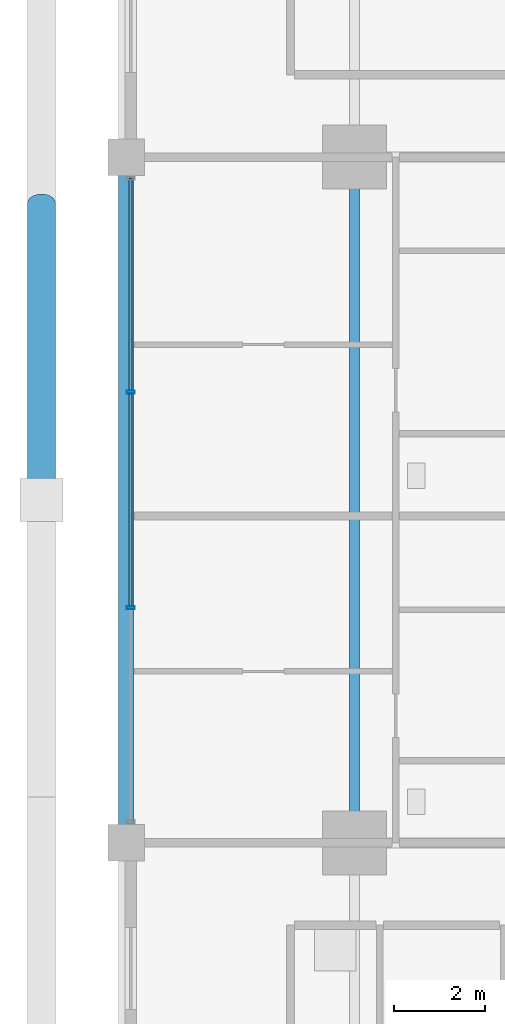
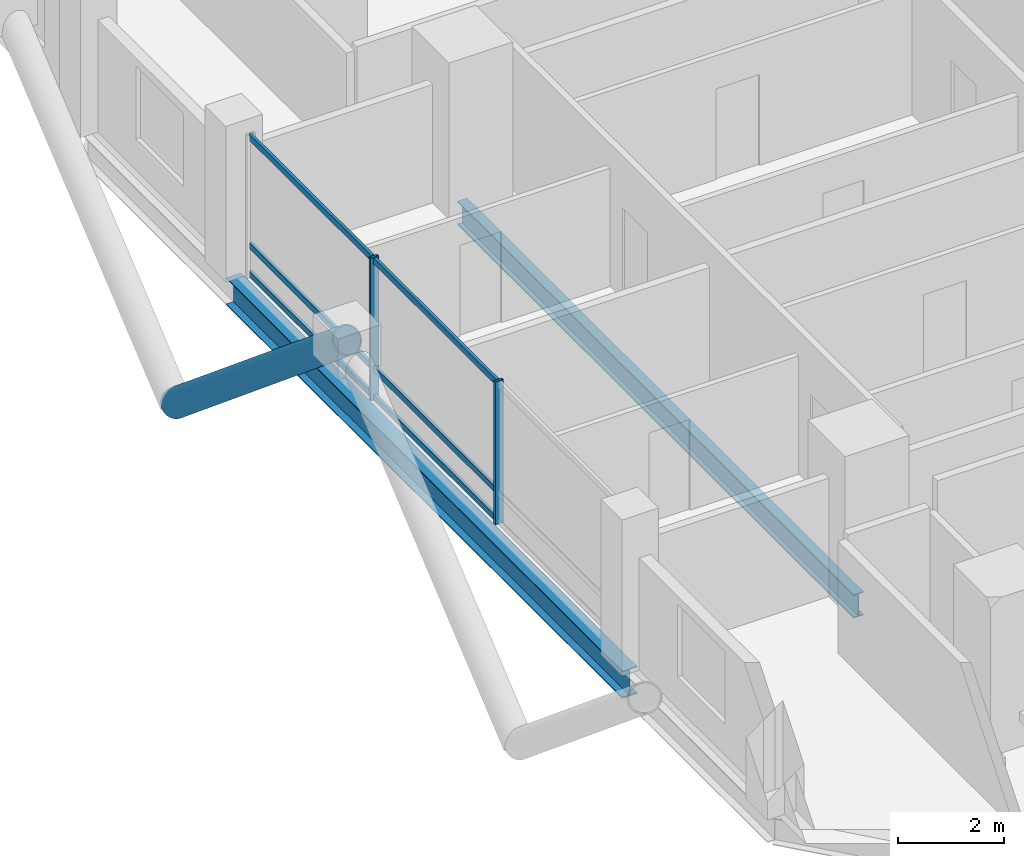
# One storey, part 6 of 24: 9 members, 2 beams, 1 element without a shape of its own.
"""IFC4 building model written with IfcOpenShell, lengths in metres."""

from ifc_helpers import new_model, si_unit, direction, frame, origin, origin_2d, place, context, subcontext, project, spatial, hollow_rectangle, hollow_circle, i_section, extrude, material, layer, layer_set, material_profile, profile_set, type_object, element, aggregate, save


model = new_model("IFC4")

# Units and contexts
model_context = context("Model", 3, precision=1e-05, world=origin(), true_north=direction((0.0, 1.0)))
body_context = subcontext(model_context, "Body", "Model", "MODEL_VIEW")
ifc_project = project(units=[si_unit("LENGTHUNIT", "METRE"), si_unit("AREAUNIT", "SQUARE_METRE"), si_unit("VOLUMEUNIT", "CUBIC_METRE"), si_unit("PLANEANGLEUNIT", "RADIAN"), si_unit("MASSUNIT", "GRAM", prefix="KILO")], contexts=[model_context])

# Site, building, storey
site_placement = place(None, origin())
site = spatial("IfcSite", under=ifc_project, at=site_placement, CompositionType="ELEMENT")
building_placement = place(site_placement, origin())
building = spatial("IfcBuilding", under=site, at=building_placement, Name="Barlavira Tower and Art Museum", CompositionType="ELEMENT")
storey_placement = place(building_placement, frame((0.0, 0.0, 90.0)))
storey = spatial("IfcBuildingStorey", under=building, at=storey_placement, Name="L22", CompositionType="ELEMENT", Elevation=90.0)

# Curtain wall, members
ifc_material_1 = material(Name="Low-iron coastal laminated glass", Category="glass")
ifc_layer = layer(ifc_material_1, 0.179931640625, Name="Low-iron coastal laminated glass")
ifc_layer_set = layer_set([ifc_layer], Name="Low-iron coastal laminated glass")
curtain_wall_type = type_object("IfcCurtainWallType", Name="Pale-Metal Unitised Curtain Wall Zone 1", PredefinedType="NOTDEFINED", material=ifc_layer_set)
curtain_wall_placement = place(storey_placement, origin())
curtain_wall = element("IfcCurtainWall", 1, at=curtain_wall_placement, inside=storey, type_object=curtain_wall_type, Name="L22 Curtain Wall CW1-L22-W-B3", PredefinedType="NOTDEFINED")
ifc_material_2 = material(Name="Pale anodised aluminium", Category="aluminium")
ifc_material_profile_1 = material_profile(ifc_material_2, hollow_rectangle(XDim=0.06494140625, YDim=0.179931640625, WallThickness=0.00390625, at=origin_2d()), Name="ALU-MULL 65x180x4")
ifc_profile_set_1 = profile_set([ifc_material_profile_1], Name="Pale anodised aluminium")
member_type_1 = type_object("IfcMemberType", Name="Curtain Wall Pale-Metal Mullion 65x180", PredefinedType="MULLION", material=ifc_profile_set_1)
member_1_placement = place(storey_placement, frame((-21.89990234375, 2.360107421875, 0.0), z_axis=(0.0, 0.0, 1.0), x_axis=(0.0, -1.0, 0.0)))
member_1 = element("IfcMember", 2, at=member_1_placement, type_object=member_type_1, Name="CW1-L22-W-B3 Mullion 1", PredefinedType="MULLION", context=body_context, shape_type="SweptSolid", body=[
    extrude(hollow_rectangle(XDim=0.06494140625, YDim=0.179931640625, WallThickness=0.00390625, at=origin_2d()), origin(), (0.0, 0.0, 1.0), 3.300048828125),
])
member_2_placement = place(storey_placement, frame((-21.89990234375, -2.360107421875, 0.0), z_axis=(0.0, 0.0, 1.0), x_axis=(0.0, -1.0, 0.0)))
member_2 = element("IfcMember", 3, at=member_2_placement, type_object=member_type_1, Name="CW1-L22-W-B3 Mullion 2", PredefinedType="MULLION", context=body_context, shape_type="SweptSolid", body=[
    extrude(hollow_rectangle(XDim=0.06494140625, YDim=0.179931640625, WallThickness=0.00390625, at=origin_2d()), origin(), (0.0, 0.0, 1.0), 3.300048828125),
])
ifc_material_profile_2 = material_profile(ifc_material_2, hollow_rectangle(XDim=0.06494140625, YDim=0.139892578125, WallThickness=0.00390625, at=origin_2d()), Name="ALU-TRAN 65x140x4")
ifc_profile_set_2 = profile_set([ifc_material_profile_2], Name="Pale anodised aluminium")
member_type_2 = type_object("IfcMemberType", Name="Curtain Wall Pale-Metal Transom 65x140", PredefinedType="USERDEFINED", material=ifc_profile_set_2)
member_3_placement = place(storey_placement, frame((-21.89990234375, 7.034912109375, 0.070068359375), z_axis=(0.0, -1.0, 0.0), x_axis=(1.0, 0.0, 0.0)))
member_3 = element("IfcMember", 4, at=member_3_placement, type_object=member_type_2, Name="CW1-L22-W-B3 Transom 0.1", ObjectType="TRANSOM", PredefinedType="USERDEFINED", context=body_context, shape_type="SweptSolid", body=[
    extrude(hollow_rectangle(XDim=0.06494140625, YDim=0.139892578125, WallThickness=0.00390625, at=origin_2d()), origin(), (0.0, 0.0, 1.0), 4.6298828125),
])
member_4_placement = place(storey_placement, frame((-21.89990234375, 7.034912109375, 0.72607421875), z_axis=(0.0, -1.0, 0.0), x_axis=(1.0, 0.0, 0.0)))
member_4 = element("IfcMember", 5, at=member_4_placement, type_object=member_type_2, Name="CW1-L22-W-B3 Transom 0.2", ObjectType="TRANSOM", PredefinedType="USERDEFINED", context=body_context, shape_type="SweptSolid", body=[
    extrude(hollow_rectangle(XDim=0.06494140625, YDim=0.139892578125, WallThickness=0.00390625, at=origin_2d()), origin(), (0.0, 0.0, 1.0), 4.6298828125),
])
member_5_placement = place(storey_placement, frame((-21.89990234375, 7.034912109375, 3.22998046875), z_axis=(0.0, -1.0, 0.0), x_axis=(1.0, 0.0, 0.0)))
member_5 = element("IfcMember", 6, at=member_5_placement, type_object=member_type_2, Name="CW1-L22-W-B3 Transom 0.3", ObjectType="TRANSOM", PredefinedType="USERDEFINED", context=body_context, shape_type="SweptSolid", body=[
    extrude(hollow_rectangle(XDim=0.06494140625, YDim=0.139892578125, WallThickness=0.00390625, at=origin_2d()), origin(), (0.0, 0.0, 1.0), 4.6298828125),
])
member_6_placement = place(storey_placement, frame((-21.89990234375, 2.31494140625, 0.070068359375), z_axis=(0.0, -1.0, 0.0), x_axis=(1.0, 0.0, 0.0)))
member_6 = element("IfcMember", 7, at=member_6_placement, type_object=member_type_2, Name="CW1-L22-W-B3 Transom 1.1", ObjectType="TRANSOM", PredefinedType="USERDEFINED", context=body_context, shape_type="SweptSolid", body=[
    extrude(hollow_rectangle(XDim=0.06494140625, YDim=0.139892578125, WallThickness=0.00390625, at=origin_2d()), origin(), (0.0, 0.0, 1.0), 4.6298828125),
])
member_7_placement = place(storey_placement, frame((-21.89990234375, 2.31494140625, 0.72607421875), z_axis=(0.0, -1.0, 0.0), x_axis=(1.0, 0.0, 0.0)))
member_7 = element("IfcMember", 8, at=member_7_placement, type_object=member_type_2, Name="CW1-L22-W-B3 Transom 1.2", ObjectType="TRANSOM", PredefinedType="USERDEFINED", context=body_context, shape_type="SweptSolid", body=[
    extrude(hollow_rectangle(XDim=0.06494140625, YDim=0.139892578125, WallThickness=0.00390625, at=origin_2d()), origin(), (0.0, 0.0, 1.0), 4.6298828125),
])
member_8_placement = place(storey_placement, frame((-21.89990234375, 2.31494140625, 3.22998046875), z_axis=(0.0, -1.0, 0.0), x_axis=(1.0, 0.0, 0.0)))
member_8 = element("IfcMember", 9, at=member_8_placement, type_object=member_type_2, Name="CW1-L22-W-B3 Transom 1.3", ObjectType="TRANSOM", PredefinedType="USERDEFINED", context=body_context, shape_type="SweptSolid", body=[
    extrude(hollow_rectangle(XDim=0.06494140625, YDim=0.139892578125, WallThickness=0.00390625, at=origin_2d()), origin(), (0.0, 0.0, 1.0), 4.6298828125),
])
aggregate(curtain_wall, [member_1, member_2, member_3, member_4, member_5, member_6, member_7, member_8])

# Member
ifc_material_3 = material(Name="Steel S355", Category="steel")
ifc_material_profile_3 = material_profile(ifc_material_3, hollow_circle(Radius=0.304931640625, WallThickness=0.028076171875, at=origin_2d()), Name="CHS 610.0x28.0")
ifc_profile_set_3 = profile_set([ifc_material_profile_3], Name="Steel S355")
member_type_3 = type_object("IfcMemberType", Name="Pale-Metal Exoskeleton Diagrid Tube CHS 610x28 Steel S355", PredefinedType="BRACE", material=ifc_profile_set_3)
member_9_placement = place(storey_placement, frame((-23.85009765625, 6.5, -1.919921875), z_axis=(0.0, -0.769196053329, 0.639012857104), x_axis=(1.0, 0.0, 0.0)))
element("IfcMember", 10, at=member_9_placement, inside=storey, type_object=member_type_3, Name="L22 Exoskeleton Diagrid Tube W", PredefinedType="BRACE", context=body_context, shape_type="SweptSolid", body=[
    extrude(hollow_circle(Radius=0.304931640625, WallThickness=0.028076171875, at=origin_2d()), origin(), (0.0, 0.0, 1.0), 8.450439453125),
])

# Beams
ifc_material_profile_4 = material_profile(ifc_material_3, i_section(OverallWidth=0.327880859375, OverallDepth=0.62890625, WebThickness=0.013916015625, FlangeThickness=0.021484375, at=origin_2d()), Name="W610x174.0")
ifc_profile_set_4 = profile_set([ifc_material_profile_4], Name="Steel S355")
beam_type_1 = type_object("IfcBeamType", Name="Perimeter Spandrel Edge Beam W610x174 Steel S355", PredefinedType="SPANDREL", material=ifc_profile_set_4)
beam_1_placement = place(storey_placement, frame((-22.0, -7.5, -0.534423828125), z_axis=(0.0, 1.0, 0.0), x_axis=(-1.0, 0.0, 0.0)))
element("IfcBeam", 11, at=beam_1_placement, inside=storey, type_object=beam_type_1, Name="L22 Spandrel 14", PredefinedType="SPANDREL", context=body_context, shape_type="SweptSolid", body=[
    extrude(i_section(OverallWidth=0.327880859375, OverallDepth=0.62890625, WebThickness=0.013916015625, FlangeThickness=0.021484375, at=origin_2d()), origin(), (0.0, 0.0, 1.0), 15.0),
])
ifc_material_profile_5 = material_profile(ifc_material_3, i_section(OverallWidth=0.214111328125, OverallDepth=0.549072265625, WebThickness=0.0146484375, FlangeThickness=0.023681640625, at=origin_2d()), Name="W530x138.0")
ifc_profile_set_5 = profile_set([ifc_material_profile_5], Name="Steel S355")
beam_type_2 = type_object("IfcBeamType", Name="Zone 1 Primary Floor Girder W530x138 Steel S355", PredefinedType="BEAM", material=ifc_profile_set_5)
beam_2_placement = place(storey_placement, frame((-17.0, -7.5, -0.494384765625), z_axis=(0.0, 1.0, 0.0), x_axis=(-1.0, 0.0, 0.0)))
element("IfcBeam", 12, at=beam_2_placement, inside=storey, type_object=beam_type_2, Name="L22 Girder M-W2", PredefinedType="BEAM", context=body_context, shape_type="SweptSolid", body=[
    extrude(i_section(OverallWidth=0.214111328125, OverallDepth=0.549072265625, WebThickness=0.0146484375, FlangeThickness=0.023681640625, at=origin_2d()), origin(), (0.0, 0.0, 1.0), 15.0),
])

save(model, "model.ifc")
